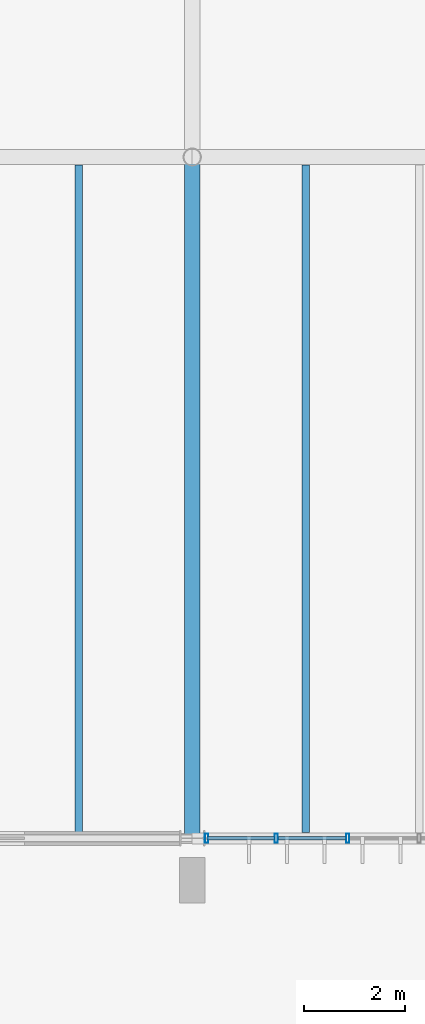
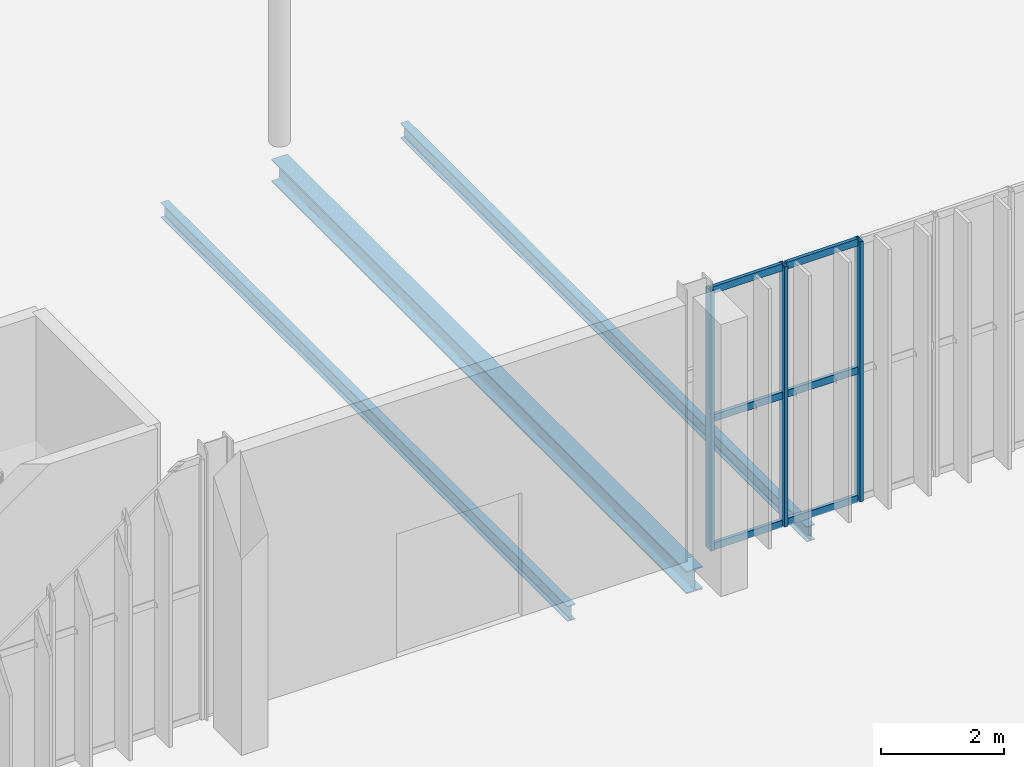
# One storey, part 45 of 158: 9 members, 3 beams, 1 element without a shape of its own.
"""IFC4 building model written with IfcOpenShell, lengths in metres."""

from ifc_helpers import new_model, si_unit, derived_unit, direction, frame, origin, origin_2d, place, context, subcontext, project, spatial, hollow_rectangle, i_section, extrude, material, material_profile, profile_set, type_object, element, aggregate, save


model = new_model("IFC4")

# Units and contexts
model_context = context("Model", 3, precision=1e-05, world=origin(), true_north=direction((0.0, 1.0)))
body_context = subcontext(model_context, "Body", "Model", "MODEL_VIEW")
ifc_project = project(units=[si_unit("LENGTHUNIT", "METRE"), si_unit("AREAUNIT", "SQUARE_METRE"), si_unit("VOLUMEUNIT", "CUBIC_METRE"), si_unit("PLANEANGLEUNIT", "RADIAN"), si_unit("MASSUNIT", "GRAM", prefix="KILO"), si_unit("THERMODYNAMICTEMPERATUREUNIT", "KELVIN"), si_unit("TIMEUNIT", "SECOND"), derived_unit("THERMALTRANSMITTANCEUNIT", [(si_unit("MASSUNIT", "GRAM", prefix="KILO"), 1), (si_unit("THERMODYNAMICTEMPERATUREUNIT", "KELVIN"), -1), (si_unit("TIMEUNIT", "SECOND"), -3)])], contexts=[model_context])

# Site, building, storey
site_placement = place(None, origin())
site = spatial("IfcSite", under=ifc_project, at=site_placement, CompositionType="ELEMENT")
building_placement = place(site_placement, origin())
building = spatial("IfcBuilding", under=site, at=building_placement, Name="Cambertide Market Hall", CompositionType="ELEMENT")
storey_placement = place(building_placement, origin())
storey = spatial("IfcBuildingStorey", under=building, at=storey_placement, Name="L01", CompositionType="ELEMENT", Elevation=0.0)

# Curtain wall, members
ifc_material_1 = material(Name="Marine Anodized Aluminium 6063-T6 AA25", Category="aluminium")
curtain_wall_type = type_object("IfcCurtainWallType", Name="Lantern Straight Lower Curtain Wall", PredefinedType="USERDEFINED", material=ifc_material_1)
curtain_wall_placement = place(storey_placement, origin())
curtain_wall = element("IfcCurtainWall", 1, at=curtain_wall_placement, inside=storey, type_object=curtain_wall_type, Name="Level 1 Curtain Wall CW-V1S-L01-7", ObjectType="UNITIZED CURTAIN WALL", PredefinedType="USERDEFINED")
ifc_material_2 = material(Name="Champagne Marine Anodized Aluminium 6063-T6 AA25", Category="aluminium")
ifc_material_profile_1 = material_profile(ifc_material_2, hollow_rectangle(XDim=0.06494140625, YDim=0.179931640625, WallThickness=0.00390625, at=origin_2d()), Name="ALU MULLION 65x180")
ifc_profile_set_1 = profile_set([ifc_material_profile_1], Name="Champagne Marine Anodized Aluminium 6063-T6 AA25")
member_type_1 = type_object("IfcMemberType", Name="Curtain Wall Mullion ALU MULLION 65x180", PredefinedType="MULLION", material=ifc_profile_set_1)
member_1_placement = place(storey_placement, frame((99.083251953125, 52.0, 0.0), z_axis=(0.0, 0.0, 1.0), x_axis=(-1.0, 0.0, 0.0)))
member_1 = element("IfcMember", 2, at=member_1_placement, type_object=member_type_1, Name="CW-V1S-L01-7 Mullion 5", PredefinedType="MULLION", context=body_context, shape_type="SweptSolid", body=[
    extrude(hollow_rectangle(XDim=0.06494140625, YDim=0.179931640625, WallThickness=0.00390625, at=origin_2d()), origin(), (0.0, 0.0, 1.0), 5.159912109375),
])
member_2_placement = place(storey_placement, frame((97.666748046875, 52.0, 0.0), z_axis=(0.0, 0.0, 1.0), x_axis=(-1.0, 0.0, 0.0)))
member_2 = element("IfcMember", 3, at=member_2_placement, type_object=member_type_1, Name="CW-V1S-L01-7 Mullion 6", PredefinedType="MULLION", context=body_context, shape_type="SweptSolid", body=[
    extrude(hollow_rectangle(XDim=0.06494140625, YDim=0.179931640625, WallThickness=0.00390625, at=origin_2d()), origin(), (0.0, 0.0, 1.0), 5.159912109375),
])
member_3_placement = place(storey_placement, frame((96.284912109375, 52.0, 0.0), z_axis=(0.0, 0.0, 1.0), x_axis=(-1.0, 0.0, 0.0)))
member_3 = element("IfcMember", 4, at=member_3_placement, type_object=member_type_1, Name="CW-V1S-L01-7 Mullion 7", PredefinedType="MULLION", context=body_context, shape_type="SweptSolid", body=[
    extrude(hollow_rectangle(XDim=0.06494140625, YDim=0.179931640625, WallThickness=0.00390625, at=origin_2d()), origin(), (0.0, 0.0, 1.0), 5.159912109375),
])
ifc_material_3 = material(Name="Champagne Marine Anodized Aluminium 6063-T6 AA25", Category="aluminium")
ifc_material_profile_2 = material_profile(ifc_material_3, hollow_rectangle(XDim=0.06494140625, YDim=0.139892578125, WallThickness=0.00341796875, at=origin_2d()), Name="ALU TRANSOM 65x140")
ifc_profile_set_2 = profile_set([ifc_material_profile_2], Name="Champagne Marine Anodized Aluminium 6063-T6 AA25")
member_type_2 = type_object("IfcMemberType", Name="Curtain Wall Transom ALU TRANSOM 65x140", PredefinedType="USERDEFINED", material=ifc_profile_set_2)
member_4_placement = place(storey_placement, frame((99.043212890625, 52.0, 0.034912109375), z_axis=(-1.0, 0.0, 0.0), x_axis=(0.0, -1.0, 0.0)))
member_4 = element("IfcMember", 5, at=member_4_placement, type_object=member_type_2, Name="CW-V1S-L01-7 Transom 1-5", ObjectType="TRANSOM", PredefinedType="USERDEFINED", context=body_context, shape_type="SweptSolid", body=[
    extrude(hollow_rectangle(XDim=0.06494140625, YDim=0.139892578125, WallThickness=0.00341796875, at=origin_2d()), origin(), (0.0, 0.0, 1.0), 1.33642578125),
])
member_5_placement = place(storey_placement, frame((97.626708984375, 52.0, 0.034912109375), z_axis=(-1.0, 0.0, 0.0), x_axis=(0.0, -1.0, 0.0)))
member_5 = element("IfcMember", 6, at=member_5_placement, type_object=member_type_2, Name="CW-V1S-L01-7 Transom 1-6", ObjectType="TRANSOM", PredefinedType="USERDEFINED", context=body_context, shape_type="SweptSolid", body=[
    extrude(hollow_rectangle(XDim=0.06494140625, YDim=0.139892578125, WallThickness=0.00341796875, at=origin_2d()), origin(), (0.0, 0.0, 1.0), 1.336669921875),
])
member_6_placement = place(storey_placement, frame((99.043212890625, 52.0, 2.580078125), z_axis=(-1.0, 0.0, 0.0), x_axis=(0.0, -1.0, 0.0)))
member_6 = element("IfcMember", 7, at=member_6_placement, type_object=member_type_2, Name="CW-V1S-L01-7 Transom 2-5", ObjectType="TRANSOM", PredefinedType="USERDEFINED", context=body_context, shape_type="SweptSolid", body=[
    extrude(hollow_rectangle(XDim=0.06494140625, YDim=0.139892578125, WallThickness=0.00341796875, at=origin_2d()), origin(), (0.0, 0.0, 1.0), 1.33642578125),
])
member_7_placement = place(storey_placement, frame((97.626708984375, 52.0, 2.580078125), z_axis=(-1.0, 0.0, 0.0), x_axis=(0.0, -1.0, 0.0)))
member_7 = element("IfcMember", 8, at=member_7_placement, type_object=member_type_2, Name="CW-V1S-L01-7 Transom 2-6", ObjectType="TRANSOM", PredefinedType="USERDEFINED", context=body_context, shape_type="SweptSolid", body=[
    extrude(hollow_rectangle(XDim=0.06494140625, YDim=0.139892578125, WallThickness=0.00341796875, at=origin_2d()), origin(), (0.0, 0.0, 1.0), 1.336669921875),
])
member_8_placement = place(storey_placement, frame((99.043212890625, 52.0, 5.125), z_axis=(-1.0, 0.0, 0.0), x_axis=(0.0, -1.0, 0.0)))
member_8 = element("IfcMember", 9, at=member_8_placement, type_object=member_type_2, Name="CW-V1S-L01-7 Transom 3-5", ObjectType="TRANSOM", PredefinedType="USERDEFINED", context=body_context, shape_type="SweptSolid", body=[
    extrude(hollow_rectangle(XDim=0.06494140625, YDim=0.139892578125, WallThickness=0.00341796875, at=origin_2d()), origin(), (0.0, 0.0, 1.0), 1.33642578125),
])
member_9_placement = place(storey_placement, frame((97.626708984375, 52.0, 5.125), z_axis=(-1.0, 0.0, 0.0), x_axis=(0.0, -1.0, 0.0)))
member_9 = element("IfcMember", 10, at=member_9_placement, type_object=member_type_2, Name="CW-V1S-L01-7 Transom 3-6", ObjectType="TRANSOM", PredefinedType="USERDEFINED", context=body_context, shape_type="SweptSolid", body=[
    extrude(hollow_rectangle(XDim=0.06494140625, YDim=0.139892578125, WallThickness=0.00341796875, at=origin_2d()), origin(), (0.0, 0.0, 1.0), 1.336669921875),
])
aggregate(curtain_wall, [member_1, member_2, member_3, member_4, member_5, member_6, member_7, member_8, member_9])

# Beams
ifc_material_4 = material(Name="Steel S355", Category="steel")
ifc_material_profile_3 = material_profile(ifc_material_4, i_section(OverallWidth=0.300048828125, OverallDepth=0.449951171875, WebThickness=0.013916015625, FlangeThickness=0.02587890625, FilletRadius=0.027099609375, at=origin_2d()), Name="HEB 450")
ifc_profile_set_3 = profile_set([ifc_material_profile_3], Name="Steel S355")
beam_type_1 = type_object("IfcBeamType", Name="Steel Girder HEB 450", PredefinedType="BEAM", material=ifc_profile_set_3)
beam_1_placement = place(storey_placement, frame((96.0, 52.0, -0.534912109375), z_axis=(0.0, 1.0, 0.0), x_axis=(-1.0, 0.0, 0.0)))
element("IfcBeam", 11, at=beam_1_placement, inside=storey, type_object=beam_type_1, Name="Level 1 Beam BM-V1TS-L01-7", PredefinedType="BEAM", context=body_context, shape_type="SweptSolid", body=[
    extrude(i_section(OverallWidth=0.300048828125, OverallDepth=0.449951171875, WebThickness=0.013916015625, FlangeThickness=0.02587890625, FilletRadius=0.027099609375, at=origin_2d()), origin(), (0.0, 0.0, 1.0), 13.5),
])
ifc_material_5 = material(Name="Steel S275", Category="steel")
ifc_material_profile_4 = material_profile(ifc_material_5, i_section(OverallWidth=0.14990234375, OverallDepth=0.300048828125, WebThickness=0.007080078125, FlangeThickness=0.0107421875, FilletRadius=0.014892578125, at=origin_2d()), Name="IPE 300")
ifc_profile_set_4 = profile_set([ifc_material_profile_4], Name="Steel S275")
beam_type_2 = type_object("IfcBeamType", Name="Steel Secondary Joist IPE 300", PredefinedType="JOIST", material=ifc_profile_set_4)
beam_2_placement = place(storey_placement, frame((93.75, 52.10791015625, -0.4599609375), z_axis=(0.0, 1.0, 0.0), x_axis=(-1.0, 0.0, 0.0)))
element("IfcBeam", 12, at=beam_2_placement, inside=storey, type_object=beam_type_2, Name="Level 1 Joist JS-V1S-L01-6-3", PredefinedType="JOIST", context=body_context, shape_type="SweptSolid", body=[
    extrude(i_section(OverallWidth=0.14990234375, OverallDepth=0.300048828125, WebThickness=0.007080078125, FlangeThickness=0.0107421875, FilletRadius=0.014892578125, at=origin_2d()), origin(), (0.0, 0.0, 1.0), 13.234130859375),
])
beam_3_placement = place(storey_placement, frame((98.25, 52.117919921875, -0.4599609375), z_axis=(0.0, 1.0, 0.0), x_axis=(-1.0, 0.0, 0.0)))
element("IfcBeam", 13, at=beam_3_placement, inside=storey, type_object=beam_type_2, Name="Level 1 Joist JS-V1S-L01-7-1", PredefinedType="JOIST", context=body_context, shape_type="SweptSolid", body=[
    extrude(i_section(OverallWidth=0.14990234375, OverallDepth=0.300048828125, WebThickness=0.007080078125, FlangeThickness=0.0107421875, FilletRadius=0.014892578125, at=origin_2d()), origin(), (0.0, 0.0, 1.0), 13.22412109375),
])

save(model, "model.ifc")
